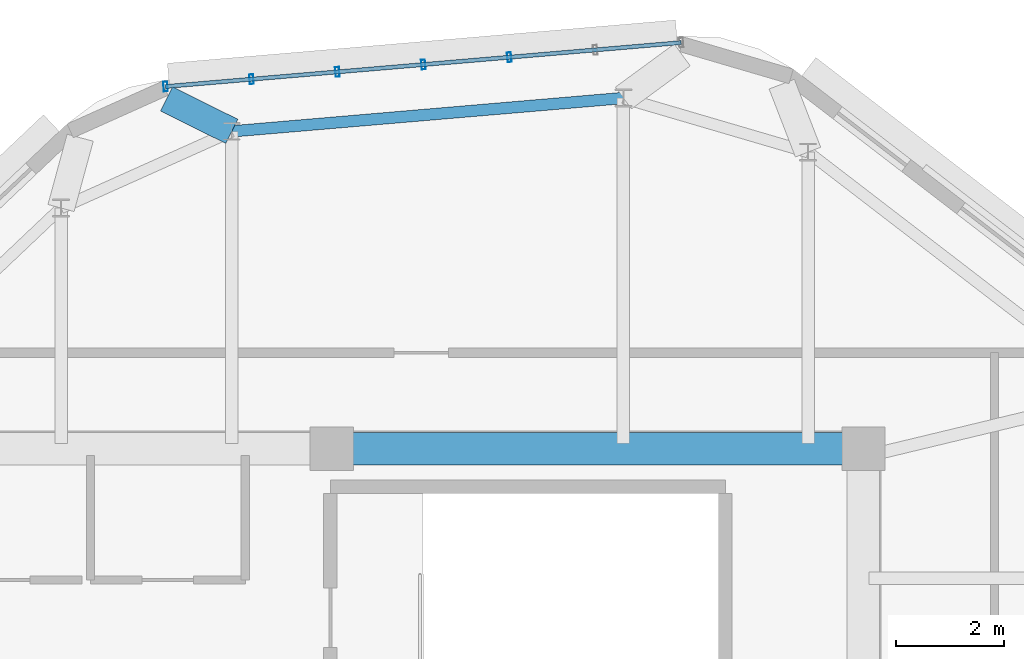
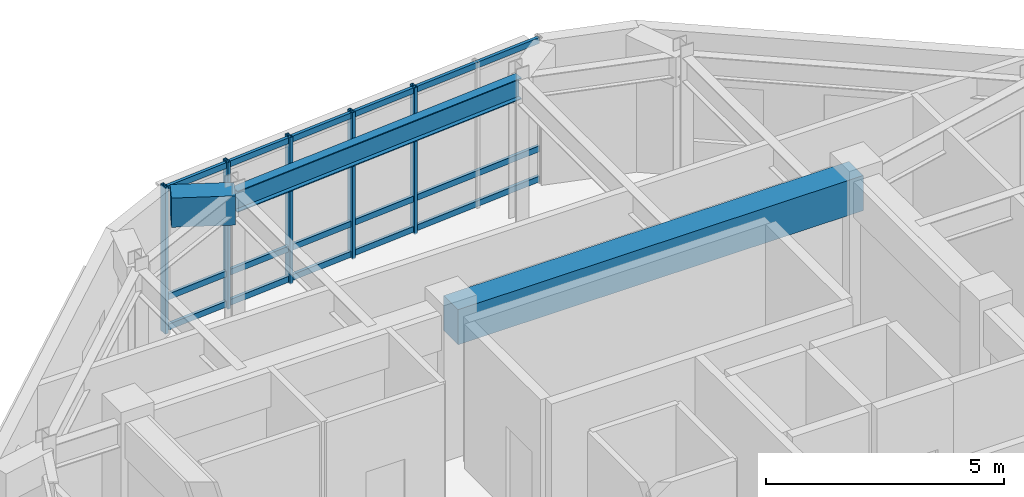
# One storey, part 7 of 13: 8 members, 3 beams, 1 element without a shape of its own.
"""IFC4 building model written with IfcOpenShell, lengths in metres."""

from ifc_helpers import new_model, si_unit, direction, frame, origin, origin_2d, place, context, subcontext, project, spatial, rectangle, hollow_rectangle, i_section, extrude, material, material_profile, profile_set, type_object, element, aggregate, save


model = new_model("IFC4")

# Units and contexts
model_context = context("Model", 3, precision=1e-05, world=origin(), true_north=direction((0.0, 1.0)))
body_context = subcontext(model_context, "Body", "Model", "MODEL_VIEW")
ifc_project = project(units=[si_unit("LENGTHUNIT", "METRE"), si_unit("AREAUNIT", "SQUARE_METRE"), si_unit("VOLUMEUNIT", "CUBIC_METRE"), si_unit("PLANEANGLEUNIT", "RADIAN"), si_unit("MASSUNIT", "GRAM", prefix="KILO")], contexts=[model_context])

# Site, building, storey
site_placement = place(None, origin())
site = spatial("IfcSite", under=ifc_project, at=site_placement, CompositionType="ELEMENT")
building_placement = place(site_placement, origin())
building = spatial("IfcBuilding", under=site, at=building_placement, Name="Zulverin Broadcast Headquarters", CompositionType="ELEMENT")
storey_placement = place(building_placement, frame((0.0, 0.0, 333.39990234375)))
storey = spatial("IfcBuildingStorey", under=building, at=storey_placement, Name="C6", CompositionType="ELEMENT", Elevation=333.39990234375)

# Beams
ifc_material_1 = material(Name="Concrete C60/75", Category="concrete")
ifc_material_profile_1 = material_profile(ifc_material_1, rectangle(XDim=0.60009765625, YDim=0.89990234375, at=origin_2d()), Name="Concrete C60/75", Category="concrete")
ifc_profile_set_1 = profile_set([ifc_material_profile_1], Name="Concrete C60/75")
beam_type_1 = type_object("IfcBeamType", Name="BM-CB-600x900", PredefinedType="LINTEL", material=ifc_profile_set_1)
beam_1_placement = place(storey_placement, frame((48.27490234375, 33.074951171875, 3.25), z_axis=(-1.0, 0.0, 0.0), x_axis=(0.0, -1.0, 0.0)))
element("IfcBeam", 1, at=beam_1_placement, inside=storey, type_object=beam_type_1, Name="C6 Core Coupling Girder K05-K06", PredefinedType="LINTEL", context=body_context, shape_type="SweptSolid", body=[
    extrude(rectangle(XDim=0.60009765625, YDim=0.89990234375, at=origin_2d()), origin(), (0.0, 0.0, 1.0), 9.824951171875),
])
ifc_material_2 = material(Name="Concrete C40/50", Category="concrete")
ifc_material_profile_2 = material_profile(ifc_material_2, rectangle(XDim=0.5, YDim=0.75, at=origin_2d()), Name="Concrete C40/50", Category="concrete")
ifc_profile_set_2 = profile_set([ifc_material_profile_2], Name="Concrete C40/50")
beam_type_2 = type_object("IfcBeamType", Name="BM-RC-500x750", PredefinedType="BEAM", material=ifc_profile_set_2)
beam_2_placement = place(storey_placement, frame((36.6015625, 38.940673828125, 3.3251953125), z_axis=(-0.895259784414, 0.445544519, 0.0), x_axis=(-0.445544519, -0.895259784414, 0.0)))
element("IfcBeam", 2, at=beam_2_placement, inside=storey, type_object=beam_type_2, Name="RF Plate Overhang Back-Spanned Beam OVR-10", PredefinedType="BEAM", context=body_context, shape_type="SweptSolid", body=[
    extrude(rectangle(XDim=0.5, YDim=0.75, at=origin_2d()), origin(), (0.0, 0.0, 1.0), 1.346435546875),
])
ifc_material_3 = material(Name="Structural steel S355JR", Category="steel")
ifc_material_profile_3 = material_profile(ifc_material_3, i_section(OverallWidth=0.2119140625, OverallDepth=0.54443359375, WebThickness=0.0126953125, FlangeThickness=0.021240234375, at=origin_2d()), Name="Structural steel S355JR", Category="steel")
ifc_profile_set_3 = profile_set([ifc_material_profile_3], Name="Structural steel S355JR")
beam_type_3 = type_object("IfcBeamType", Name="BM-UB-533", PredefinedType="SPANDREL", material=ifc_profile_set_3)
beam_3_placement = place(storey_placement, frame((43.839599609375, 39.557373046875, 3.427978515625), z_axis=(-0.996389906425, -0.084894960827, 0.0), x_axis=(0.084894960827, -0.996389906425, 0.0)))
element("IfcBeam", 3, at=beam_3_placement, inside=storey, type_object=beam_type_3, Name="C6 Perimeter Spandrel Beam SP-09", PredefinedType="SPANDREL", context=body_context, shape_type="SweptSolid", body=[
    extrude(i_section(OverallWidth=0.2119140625, OverallDepth=0.54443359375, WebThickness=0.0126953125, FlangeThickness=0.021240234375, at=origin_2d()), origin(), (0.0, 0.0, 1.0), 7.26416015625),
])

# Curtain wall, members
ifc_material_4 = material(Name="Crown damper-hall structural glass curtain wall", Category="glass")
curtain_wall_type = type_object("IfcCurtainWallType", Name="CW-CRN", PredefinedType="USERDEFINED", material=ifc_material_4)
curtain_wall_placement = place(storey_placement, origin())
curtain_wall = element("IfcCurtainWall", 4, at=curtain_wall_placement, inside=storey, type_object=curtain_wall_type, Name="C6 Unitised Curtain Wall CW-C6-E5", ObjectType="UNITISED CURTAIN WALL", PredefinedType="USERDEFINED")
ifc_material_5 = material(Name="Anodized pale-metal aluminium alloy 6063-T6", Category="aluminium")
ifc_material_profile_4 = material_profile(ifc_material_5, hollow_rectangle(XDim=0.074951171875, YDim=0.179931640625, WallThickness=0.0048828125, at=origin_2d()), Name="Anodized pale-metal aluminium alloy 6063-T6", Category="aluminium")
ifc_profile_set_4 = profile_set([ifc_material_profile_4], Name="Anodized pale-metal aluminium alloy 6063-T6")
member_type_1 = type_object("IfcMemberType", Name="CW-MUL-180", PredefinedType="MULLION", material=ifc_profile_set_4)
member_1_placement = place(storey_placement, frame((41.729736328125, 40.31103515625, -0.02978515625), z_axis=(0.0, 0.0, 1.0), x_axis=(-0.996389439284, -0.084900443359, 0.0)))
member_1 = element("IfcMember", 5, at=member_1_placement, type_object=member_type_1, Name="CW-C6-E5 Mullion 02", PredefinedType="MULLION", context=body_context, shape_type="SweptSolid", body=[
    extrude(hollow_rectangle(XDim=0.074951171875, YDim=0.179931640625, WallThickness=0.0048828125, at=origin_2d()), origin(), (0.0, 0.0, 1.0), 3.759765625),
])
member_2_placement = place(storey_placement, frame((40.1416015625, 40.175537109375, -0.02978515625), z_axis=(0.0, 0.0, 1.0), x_axis=(-0.996389439284, -0.084900443359, 0.0)))
member_2 = element("IfcMember", 6, at=member_2_placement, type_object=member_type_1, Name="CW-C6-E5 Mullion 03", PredefinedType="MULLION", context=body_context, shape_type="SweptSolid", body=[
    extrude(hollow_rectangle(XDim=0.074951171875, YDim=0.179931640625, WallThickness=0.0048828125, at=origin_2d()), origin(), (0.0, 0.0, 1.0), 3.759765625),
])
member_3_placement = place(storey_placement, frame((38.55322265625, 40.040283203125, -0.02978515625), z_axis=(0.0, 0.0, 1.0), x_axis=(-0.996389439284, -0.084900443359, 0.0)))
member_3 = element("IfcMember", 7, at=member_3_placement, type_object=member_type_1, Name="CW-C6-E5 Mullion 04", PredefinedType="MULLION", context=body_context, shape_type="SweptSolid", body=[
    extrude(hollow_rectangle(XDim=0.074951171875, YDim=0.179931640625, WallThickness=0.0048828125, at=origin_2d()), origin(), (0.0, 0.0, 1.0), 3.759765625),
])
member_4_placement = place(storey_placement, frame((36.965087890625, 39.905029296875, -0.02978515625), z_axis=(0.0, 0.0, 1.0), x_axis=(-0.996389439284, -0.084900443359, 0.0)))
member_4 = element("IfcMember", 8, at=member_4_placement, type_object=member_type_1, Name="CW-C6-E5 Mullion 05", PredefinedType="MULLION", context=body_context, shape_type="SweptSolid", body=[
    extrude(hollow_rectangle(XDim=0.074951171875, YDim=0.179931640625, WallThickness=0.0048828125, at=origin_2d()), origin(), (0.0, 0.0, 1.0), 3.759765625),
])
member_5_placement = place(storey_placement, frame((35.376708984375, 39.76953125, -0.02978515625), z_axis=(0.0, 0.0, 1.0), x_axis=(-0.996389439284, -0.084900443359, 0.0)))
member_5 = element("IfcMember", 9, at=member_5_placement, type_object=member_type_1, Name="CW-C6-E5 Mullion 06", PredefinedType="MULLION", context=body_context, shape_type="SweptSolid", body=[
    extrude(hollow_rectangle(XDim=0.074951171875, YDim=0.179931640625, WallThickness=0.0048828125, at=origin_2d()), origin(), (0.0, 0.0, 1.0), 3.759765625),
])
ifc_material_profile_5 = material_profile(ifc_material_5, hollow_rectangle(XDim=0.074951171875, YDim=0.14990234375, WallThickness=0.0048828125, at=origin_2d()), Name="Anodized pale-metal aluminium alloy 6063-T6", Category="aluminium")
ifc_profile_set_5 = profile_set([ifc_material_profile_5], Name="Anodized pale-metal aluminium alloy 6063-T6")
member_type_2 = type_object("IfcMemberType", Name="CW-TRN-150", PredefinedType="USERDEFINED", material=ifc_profile_set_5)
member_6_placement = place(storey_placement, frame((44.906494140625, 40.58154296875, 0.0751953125), z_axis=(-0.996389466658, -0.084900122101, 0.0), x_axis=(0.084900122101, -0.996389466658, 0.0)))
member_6 = element("IfcMember", 10, at=member_6_placement, type_object=member_type_2, Name="CW-C6-E5 Transom 0", ObjectType="TRANSOM", PredefinedType="USERDEFINED", context=body_context, shape_type="SweptSolid", body=[
    extrude(hollow_rectangle(XDim=0.074951171875, YDim=0.14990234375, WallThickness=0.0048828125, at=origin_2d()), origin(), (0.0, 0.0, 1.0), 9.564208984375),
])
member_7_placement = place(storey_placement, frame((44.906494140625, 40.58154296875, 0.85009765625), z_axis=(-0.996389466658, -0.084900122101, 0.0), x_axis=(0.084900122101, -0.996389466658, 0.0)))
member_7 = element("IfcMember", 11, at=member_7_placement, type_object=member_type_2, Name="CW-C6-E5 Transom 1", ObjectType="TRANSOM", PredefinedType="USERDEFINED", context=body_context, shape_type="SweptSolid", body=[
    extrude(hollow_rectangle(XDim=0.074951171875, YDim=0.14990234375, WallThickness=0.0048828125, at=origin_2d()), origin(), (0.0, 0.0, 1.0), 9.564208984375),
])
member_8_placement = place(storey_placement, frame((44.906494140625, 40.58154296875, 3.625), z_axis=(-0.996389466658, -0.084900122101, 0.0), x_axis=(0.084900122101, -0.996389466658, 0.0)))
member_8 = element("IfcMember", 12, at=member_8_placement, type_object=member_type_2, Name="CW-C6-E5 Transom 2", ObjectType="TRANSOM", PredefinedType="USERDEFINED", context=body_context, shape_type="SweptSolid", body=[
    extrude(hollow_rectangle(XDim=0.074951171875, YDim=0.14990234375, WallThickness=0.0048828125, at=origin_2d()), origin(), (0.0, 0.0, 1.0), 9.564208984375),
])
aggregate(curtain_wall, [member_1, member_2, member_3, member_4, member_5, member_6, member_7, member_8])

save(model, "model.ifc")
